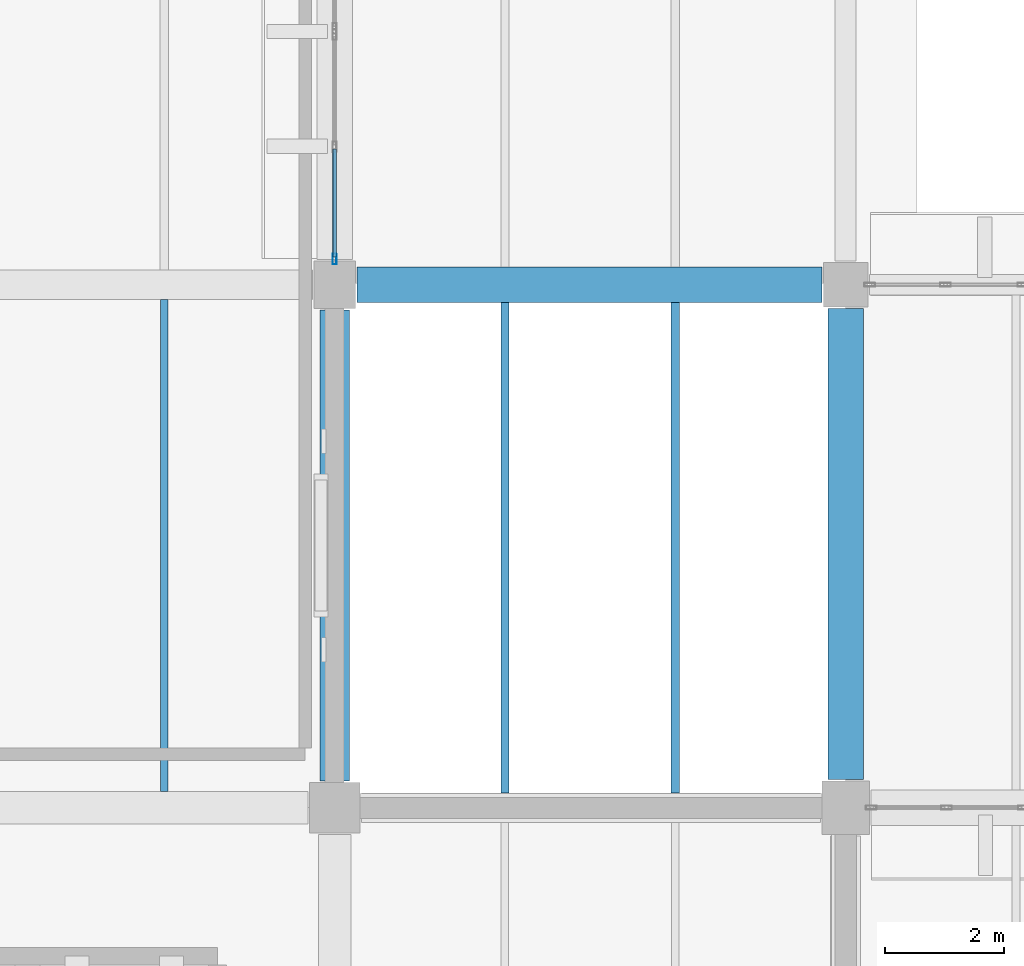
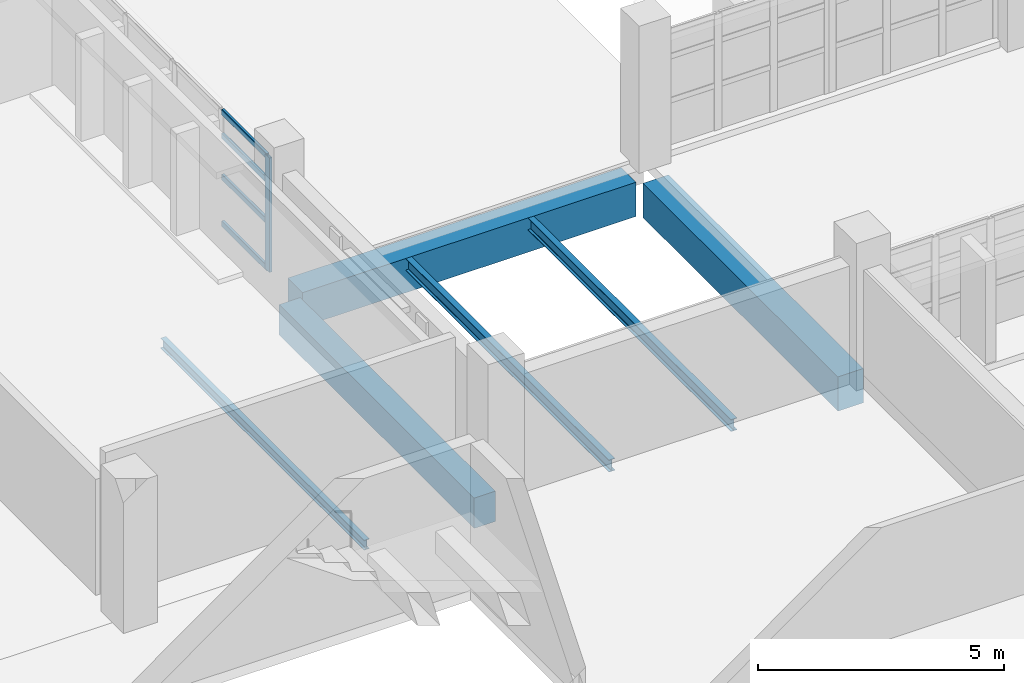
# One storey, part 21 of 80: 6 beams, 5 members, 1 element without a shape of its own.
"""IFC4 building model written with IfcOpenShell, lengths in metres."""

from ifc_helpers import new_model, si_unit, direction, frame, origin, origin_2d, place, context, subcontext, project, spatial, rectangle, hollow_rectangle, i_section, extrude, material, material_profile, profile_set, type_object, element, aggregate, save


model = new_model("IFC4")

# Units and contexts
model_context = context("Model", 3, precision=1e-05, world=origin(), true_north=direction((0.0, 1.0)))
body_context = subcontext(model_context, "Body", "Model", "MODEL_VIEW")
ifc_project = project(units=[si_unit("LENGTHUNIT", "METRE"), si_unit("AREAUNIT", "SQUARE_METRE"), si_unit("VOLUMEUNIT", "CUBIC_METRE"), si_unit("PLANEANGLEUNIT", "RADIAN"), si_unit("MASSUNIT", "GRAM", prefix="KILO")], contexts=[model_context])

# Site, building, storey
site_placement = place(None, origin())
site = spatial("IfcSite", under=ifc_project, at=site_placement, CompositionType="ELEMENT")
building_placement = place(site_placement, origin())
building = spatial("IfcBuilding", under=site, at=building_placement, Name="Varnakota Cinema and Media Centre", CompositionType="ELEMENT")
storey_placement = place(building_placement, frame((0.0, 0.0, 4.5)))
storey = spatial("IfcBuildingStorey", under=building, at=storey_placement, Name="L01", CompositionType="ELEMENT", Elevation=4.5)

# Beams
ifc_material_1 = material(Name="Concrete M35", Category="concrete")
ifc_material_profile_1 = material_profile(ifc_material_1, rectangle(XDim=0.5, YDim=0.75, at=origin_2d()), Name="RCB 500x750")
ifc_profile_set_1 = profile_set([ifc_material_profile_1], Name="Concrete M35")
beam_type_1 = type_object("IfcBeamType", Name="BM-RC-500x750", PredefinedType="BEAM", material=ifc_profile_set_1)
beam_1_placement = place(storey_placement, frame((34.39990234375, 35.64990234375, -0.625), z_axis=(0.0, 1.0, 0.0), x_axis=(-1.0, 0.0, 0.0)))
element("IfcBeam", 1, at=beam_1_placement, inside=storey, type_object=beam_type_1, Name="L01 girder E/5-6", PredefinedType="BEAM", context=body_context, shape_type="SweptSolid", body=[
    extrude(rectangle(XDim=0.5, YDim=0.75, at=origin_2d()), origin(), (0.0, 0.0, 1.0), 7.925048828125),
])
ifc_material_2 = material(Name="Concrete M35", Category="concrete")
ifc_material_profile_2 = material_profile(ifc_material_2, rectangle(XDim=0.60009765625, YDim=0.85009765625, at=origin_2d()), Name="RCB 600x850")
ifc_profile_set_2 = profile_set([ifc_material_profile_2], Name="Concrete M35")
beam_type_2 = type_object("IfcBeamType", Name="BM-RC-600x850", PredefinedType="BEAM", material=ifc_profile_set_2)
beam_2_placement = place(storey_placement, frame((34.77490234375, 44.0, -0.675048828125), z_axis=(1.0, 0.0, 0.0), x_axis=(0.0, 1.0, 0.0)))
element("IfcBeam", 2, at=beam_2_placement, inside=storey, type_object=beam_type_2, Name="L01 girder E-F/6", PredefinedType="BEAM", context=body_context, shape_type="SweptSolid", body=[
    extrude(rectangle(XDim=0.60009765625, YDim=0.85009765625, at=origin_2d()), origin(), (0.0, 0.0, 1.0), 7.8251953125),
])
beam_3_placement = place(storey_placement, frame((43.0, 35.675048828125, -0.675048828125), z_axis=(0.0, 1.0, 0.0), x_axis=(-1.0, 0.0, 0.0)))
element("IfcBeam", 3, at=beam_3_placement, inside=storey, type_object=beam_type_2, Name="L01 girder F/5-6", PredefinedType="BEAM", context=body_context, shape_type="SweptSolid", body=[
    extrude(rectangle(XDim=0.60009765625, YDim=0.85009765625, at=origin_2d()), origin(), (0.0, 0.0, 1.0), 7.925048828125),
])
ifc_material_3 = material(Name="Structural steel Grade 350 (E350)", Category="steel")
ifc_material_profile_3 = material_profile(ifc_material_3, i_section(OverallWidth=0.125, OverallDepth=0.25, WebThickness=0.0068359375, FlangeThickness=0.012451171875, FilletRadius=0.012939453125, at=origin_2d()), Name="ISMB 250")
ifc_profile_set_3 = profile_set([ifc_material_profile_3], Name="Structural steel Grade 350 (E350)")
beam_type_3 = type_object("IfcBeamType", Name="BM-ST-ISMB250", PredefinedType="JOIST", material=ifc_profile_set_3)
beam_4_placement = place(storey_placement, frame((31.533203125, 35.47509765625, -0.375), z_axis=(0.0, 1.0, 0.0), x_axis=(-1.0, 0.0, 0.0)))
element("IfcBeam", 4, at=beam_4_placement, inside=storey, type_object=beam_type_3, Name="L01 steel joist D-E/5-6 #2", PredefinedType="JOIST", context=body_context, shape_type="SweptSolid", body=[
    extrude(i_section(OverallWidth=0.125, OverallDepth=0.25, WebThickness=0.0068359375, FlangeThickness=0.012451171875, FilletRadius=0.012939453125, at=origin_2d()), origin(), (0.0, 0.0, 1.0), 8.27490234375),
])
ifc_material_4 = material(Name="Structural steel Grade 350 (E350)", Category="steel")
ifc_material_profile_4 = material_profile(ifc_material_4, i_section(OverallWidth=0.139892578125, OverallDepth=0.300048828125, WebThickness=0.0078125, FlangeThickness=0.01318359375, FilletRadius=0.013916015625, at=origin_2d()), Name="ISMB 300")
ifc_profile_set_4 = profile_set([ifc_material_profile_4], Name="Structural steel Grade 350 (E350)")
beam_type_4 = type_object("IfcBeamType", Name="BM-ST-ISMB300", PredefinedType="JOIST", material=ifc_profile_set_4)
for number, where, z_axis, x_axis, name in (
    (5, (37.2666015625, 35.449951171875, -0.39990234375), (0.0, 1.0, 0.0), (-1.0, 0.0, 0.0), "L01 steel joist E-F/5-6 #1"),
    (6, (40.13330078125, 35.449951171875, -0.39990234375), (0.0, 1.0, 0.0), (-1.0, 0.0, 0.0), "L01 steel joist E-F/5-6 #2"),
):
    element("IfcBeam", number, at=place(storey_placement, frame(where, z_axis=z_axis, x_axis=x_axis)), inside=storey, type_object=beam_type_4, Name=name, PredefinedType="JOIST", context=body_context, shape_type="SweptSolid", body=[
        extrude(i_section(OverallWidth=0.139892578125, OverallDepth=0.300048828125, WebThickness=0.0078125, FlangeThickness=0.01318359375, FilletRadius=0.013916015625, at=origin_2d()), origin(), (0.0, 0.0, 1.0), 8.25),
    ])

# Curtain wall, members
ifc_material_5 = material(Name="Thermally broken anodised aluminium AW-6063", Category="aluminium")
curtain_wall_type = type_object("IfcCurtainWallType", Name="CW-STD-384x284", PredefinedType="USERDEFINED", material=ifc_material_5)
curtain_wall_placement = place(storey_placement, origin())
curtain_wall = element("IfcCurtainWall", 7, at=curtain_wall_placement, inside=storey, type_object=curtain_wall_type, Name="L01 curtain wall CW-L01-V5-E-02-1", ObjectType="UNITISED CURTAIN WALL", PredefinedType="USERDEFINED")
ifc_material_6 = material(Name="Thermally broken anodised aluminium AW-6063", Category="aluminium")
ifc_material_profile_5 = material_profile(ifc_material_6, hollow_rectangle(XDim=0.06494140625, YDim=0.179931640625, WallThickness=0.00390625, InnerFilletRadius=0.00390625, OuterFilletRadius=0.008056640625, at=origin_2d()), Name="AL-MULLION 180x65x4")
ifc_profile_set_5 = profile_set([ifc_material_profile_5], Name="Thermally broken anodised aluminium AW-6063")
member_type_1 = type_object("IfcMemberType", Name="CWM-AL-180", PredefinedType="MULLION", material=ifc_profile_set_5)
member_1_placement = place(storey_placement, frame((34.39990234375, 44.4326171875, 0.0), z_axis=(0.0, 0.0, 1.0), x_axis=(-1.0, 0.0, 0.0)))
member_1 = element("IfcMember", 8, at=member_1_placement, type_object=member_type_1, Name="CW25 mullion 1", PredefinedType="MULLION", context=body_context, shape_type="SweptSolid", body=[
    extrude(hollow_rectangle(XDim=0.06494140625, YDim=0.179931640625, WallThickness=0.00390625, InnerFilletRadius=0.00390625, OuterFilletRadius=0.008056640625, at=origin_2d()), origin(), (0.0, 0.0, 1.0), 2.8349609375),
])
ifc_material_7 = material(Name="Thermally broken anodised aluminium AW-6063", Category="aluminium")
ifc_material_profile_6 = material_profile(ifc_material_7, hollow_rectangle(XDim=0.06494140625, YDim=0.139892578125, WallThickness=0.00390625, InnerFilletRadius=0.00390625, OuterFilletRadius=0.008056640625, at=origin_2d()), Name="AL-TRANSOM 140x65x4")
ifc_profile_set_6 = profile_set([ifc_material_profile_6], Name="Thermally broken anodised aluminium AW-6063")
member_type_2 = type_object("IfcMemberType", Name="CWT-AL-140", PredefinedType="USERDEFINED", material=ifc_profile_set_6)
member_2_placement = place(storey_placement, frame((34.39990234375, 44.465087890625, 0.032470703125), z_axis=(0.0, 1.0, 0.0), x_axis=(-1.0, 0.0, 0.0)))
member_2 = element("IfcMember", 9, at=member_2_placement, type_object=member_type_2, Name="CW25 transom 1.1", ObjectType="TRANSOM", PredefinedType="USERDEFINED", context=body_context, shape_type="SweptSolid", body=[
    extrude(hollow_rectangle(XDim=0.06494140625, YDim=0.139892578125, WallThickness=0.00390625, InnerFilletRadius=0.00390625, OuterFilletRadius=0.008056640625, at=origin_2d()), origin(), (0.0, 0.0, 1.0), 1.82373046875),
])
member_3_placement = place(storey_placement, frame((34.39990234375, 44.465087890625, 1.190673828125), z_axis=(0.0, 1.0, 0.0), x_axis=(-1.0, 0.0, 0.0)))
member_3 = element("IfcMember", 10, at=member_3_placement, type_object=member_type_2, Name="CW25 transom 1.2", ObjectType="TRANSOM", PredefinedType="USERDEFINED", context=body_context, shape_type="SweptSolid", body=[
    extrude(hollow_rectangle(XDim=0.06494140625, YDim=0.139892578125, WallThickness=0.00390625, InnerFilletRadius=0.00390625, OuterFilletRadius=0.008056640625, at=origin_2d()), origin(), (0.0, 0.0, 1.0), 1.82373046875),
])
member_4_placement = place(storey_placement, frame((34.39990234375, 44.465087890625, 2.211181640625), z_axis=(0.0, 1.0, 0.0), x_axis=(-1.0, 0.0, 0.0)))
member_4 = element("IfcMember", 11, at=member_4_placement, type_object=member_type_2, Name="CW25 transom 1.3", ObjectType="TRANSOM", PredefinedType="USERDEFINED", context=body_context, shape_type="SweptSolid", body=[
    extrude(hollow_rectangle(XDim=0.06494140625, YDim=0.139892578125, WallThickness=0.00390625, InnerFilletRadius=0.00390625, OuterFilletRadius=0.008056640625, at=origin_2d()), origin(), (0.0, 0.0, 1.0), 1.82373046875),
])
member_5_placement = place(storey_placement, frame((34.39990234375, 44.465087890625, 2.802490234375), z_axis=(0.0, 1.0, 0.0), x_axis=(-1.0, 0.0, 0.0)))
member_5 = element("IfcMember", 12, at=member_5_placement, type_object=member_type_2, Name="CW25 transom 1.4", ObjectType="TRANSOM", PredefinedType="USERDEFINED", context=body_context, shape_type="SweptSolid", body=[
    extrude(hollow_rectangle(XDim=0.06494140625, YDim=0.139892578125, WallThickness=0.00390625, InnerFilletRadius=0.00390625, OuterFilletRadius=0.008056640625, at=origin_2d()), origin(), (0.0, 0.0, 1.0), 1.82373046875),
])
aggregate(curtain_wall, [member_1, member_2, member_3, member_4, member_5])

save(model, "model.ifc")
